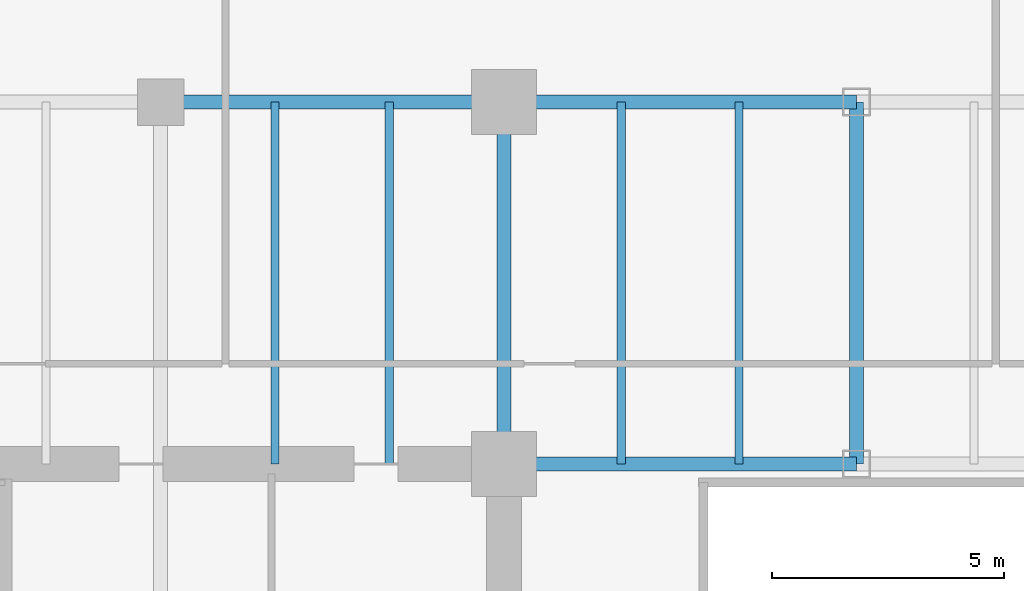
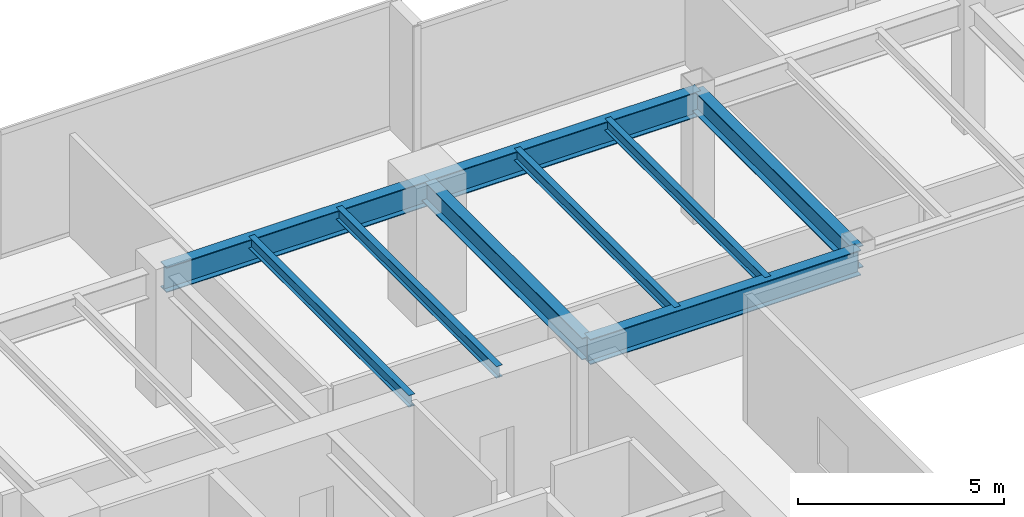
# One storey, part 13 of 35: 9 beams.
"""IFC4 building model written with IfcOpenShell, lengths in metres."""

from ifc_helpers import new_model, si_unit, direction, frame, origin, origin_2d, place, context, subcontext, project, spatial, i_section, extrude, source, transform, mapped, material, material_profile, profile_set, type_object, type_shapes, element, save


model = new_model("IFC4")

# Units and contexts
model_context = context("Model", 3, precision=1e-05, world=origin(), true_north=direction((0.0, 1.0)))
body_context = subcontext(model_context, "Body", "Model", "MODEL_VIEW")
ifc_project = project(units=[si_unit("LENGTHUNIT", "METRE"), si_unit("AREAUNIT", "SQUARE_METRE"), si_unit("VOLUMEUNIT", "CUBIC_METRE"), si_unit("PLANEANGLEUNIT", "RADIAN"), si_unit("MASSUNIT", "GRAM", prefix="KILO")], contexts=[model_context])

# Site, building, storey
site_placement = place(None, origin())
site = spatial("IfcSite", under=ifc_project, at=site_placement, CompositionType="ELEMENT")
building_placement = place(site_placement, origin())
building = spatial("IfcBuilding", under=site, at=building_placement, Name="Haelvirn Gate Laboratories", CompositionType="ELEMENT")
storey_placement = place(building_placement, frame((0.0, 0.0, 90.800048828125)))
storey = spatial("IfcBuildingStorey", under=building, at=storey_placement, Name="L22", CompositionType="ELEMENT", Elevation=90.800048828125)

# Beams
ifc_material = material(Name="Steel SM355", Category="steel")
ifc_material_profile_1 = material_profile(ifc_material, i_section(OverallWidth=0.300048828125, OverallDepth=0.75, WebThickness=0.013916015625, FlangeThickness=0.02392578125, at=origin_2d()), Name="H-750x300x14x24")
ifc_profile_set_1 = profile_set([ifc_material_profile_1], Name="Steel SM355")
beam_type_1 = type_object("IfcBeamType", Name="BM-G-750", PredefinedType="BEAM", material=ifc_profile_set_1)
shared_shape_1 = source(origin(), body_context, "Body", "SweptSolid", [
    extrude(i_section(OverallWidth=0.300048828125, OverallDepth=0.75, WebThickness=0.013916015625, FlangeThickness=0.02392578125, at=origin_2d()), origin(), (0.0, 0.0, 1.0), 7.39990234375),
])
beam_placement = place(storey_placement, frame((14.800048828125, 41.60009765625, 3.405029296875), z_axis=(1.0, 0.0, 0.0), x_axis=(0.0, 1.0, 0.0)))
element("IfcBeam", 1, at=beam_placement, inside=storey, type_object=beam_type_1, Name="L22 Primary Girder Y41.6 (14.8-22.2)", PredefinedType="BEAM", context=body_context, shape_type="MappedRepresentation", body=[
    mapped(shared_shape_1, transform((0.0, 0.0, 0.0), scale=1.0)),
])
shared_shape_2 = source(origin(), body_context, "Body", "SweptSolid", [
    extrude(i_section(OverallWidth=0.300048828125, OverallDepth=0.75, WebThickness=0.013916015625, FlangeThickness=0.02392578125, at=origin_2d()), origin(), (0.0, 0.0, 1.0), 7.60009765625),
])
type_shapes(beam_type_1, [shared_shape_1, shared_shape_2])
for number, where, z_axis, x_axis, name in (
    (2, (22.199951171875, 33.800048828125, 3.405029296875), (1.0, 0.0, 0.0), (0.0, 1.0, 0.0), "L22 Primary Girder Y33.8 (22.2-29.8)"),
    (3, (22.199951171875, 41.60009765625, 3.405029296875), (1.0, 0.0, 0.0), (0.0, 1.0, 0.0), "L22 Primary Girder Y41.6 (22.2-29.8)"),
):
    element("IfcBeam", number, at=place(storey_placement, frame(where, z_axis=z_axis, x_axis=x_axis)), inside=storey, type_object=beam_type_1, Name=name, PredefinedType="BEAM", context=body_context, shape_type="MappedRepresentation", body=[
        mapped(shared_shape_2, transform((0.0, 0.0, 0.0), scale=1.0)),
    ])
ifc_material_profile_2 = material_profile(ifc_material, i_section(OverallWidth=0.175048828125, OverallDepth=0.35009765625, WebThickness=0.007080078125, FlangeThickness=0.010986328125, at=origin_2d()), Name="H-350x175x7x11")
ifc_profile_set_2 = profile_set([ifc_material_profile_2], Name="Steel SM355")
beam_type_2 = type_object("IfcBeamType", Name="BM-J-350", PredefinedType="JOIST", material=ifc_profile_set_2)
shared_shape_3 = source(origin(), body_context, "Body", "SweptSolid", [
    extrude(i_section(OverallWidth=0.175048828125, OverallDepth=0.35009765625, WebThickness=0.007080078125, FlangeThickness=0.010986328125, at=origin_2d()), origin(), (0.0, 0.0, 1.0), 7.800048828125),
])
type_shapes(beam_type_2, [shared_shape_3])
for number, where, z_axis, x_axis, name in (
    (4, (17.27001953125, 33.800048828125, 3.60498046875), (0.0, 1.0, 0.0), (-1.0, 0.0, 0.0), "L22 Composite Lab Joist North X17.27"),
    (5, (19.72998046875, 33.800048828125, 3.60498046875), (0.0, 1.0, 0.0), (-1.0, 0.0, 0.0), "L22 Composite Lab Joist North X19.73"),
    (6, (24.72998046875, 33.800048828125, 3.60498046875), (0.0, 1.0, 0.0), (-1.0, 0.0, 0.0), "L22 Composite Lab Joist North X24.73"),
    (7, (27.27001953125, 33.800048828125, 3.60498046875), (0.0, 1.0, 0.0), (-1.0, 0.0, 0.0), "L22 Composite Lab Joist North X27.27"),
):
    element("IfcBeam", number, at=place(storey_placement, frame(where, z_axis=z_axis, x_axis=x_axis)), inside=storey, type_object=beam_type_2, Name=name, PredefinedType="JOIST", context=body_context, shape_type="MappedRepresentation", body=[
        mapped(shared_shape_3, transform((0.0, 0.0, 0.0), scale=1.0)),
    ])
ifc_material_profile_3 = material_profile(ifc_material, i_section(OverallWidth=0.300048828125, OverallDepth=0.64990234375, WebThickness=0.012939453125, FlangeThickness=0.02197265625, at=origin_2d()), Name="H-650x300x13x22")
ifc_profile_set_3 = profile_set([ifc_material_profile_3], Name="Steel SM355")
beam_type_3 = type_object("IfcBeamType", Name="BM-G-650", PredefinedType="BEAM", material=ifc_profile_set_3)
shared_shape_4 = source(origin(), body_context, "Body", "SweptSolid", [
    extrude(i_section(OverallWidth=0.300048828125, OverallDepth=0.64990234375, WebThickness=0.012939453125, FlangeThickness=0.02197265625, at=origin_2d()), origin(), (0.0, 0.0, 1.0), 7.800048828125),
])
type_shapes(beam_type_3, [shared_shape_4])
for number, where, z_axis, x_axis, name in (
    (8, (22.199951171875, 33.800048828125, 3.454833984375), (0.0, 1.0, 0.0), (-1.0, 0.0, 0.0), "L22 Frame Girder X22.2 (33.8-41.6)"),
    (9, (29.800048828125, 33.800048828125, 3.454833984375), (0.0, 1.0, 0.0), (-1.0, 0.0, 0.0), "L22 Frame Girder X29.8 (33.8-41.6)"),
):
    element("IfcBeam", number, at=place(storey_placement, frame(where, z_axis=z_axis, x_axis=x_axis)), inside=storey, type_object=beam_type_3, Name=name, PredefinedType="BEAM", context=body_context, shape_type="MappedRepresentation", body=[
        mapped(shared_shape_4, transform((0.0, 0.0, 0.0), scale=1.0)),
    ])

save(model, "model.ifc")
